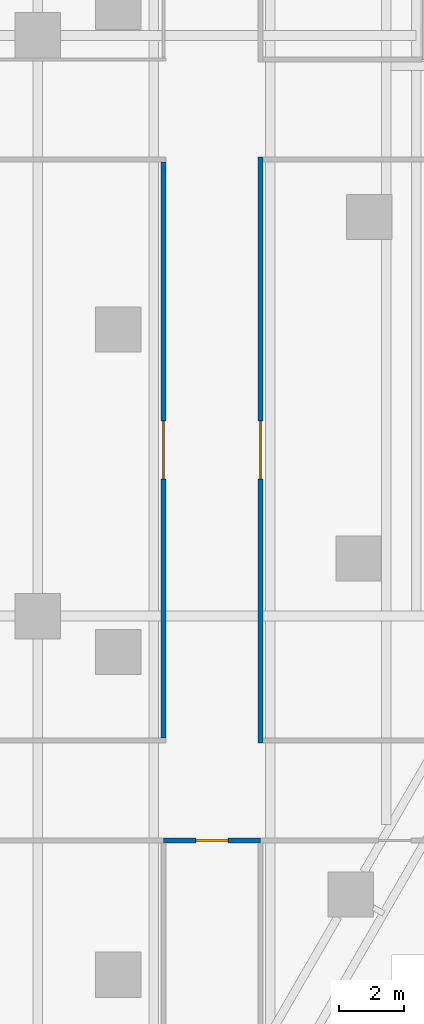
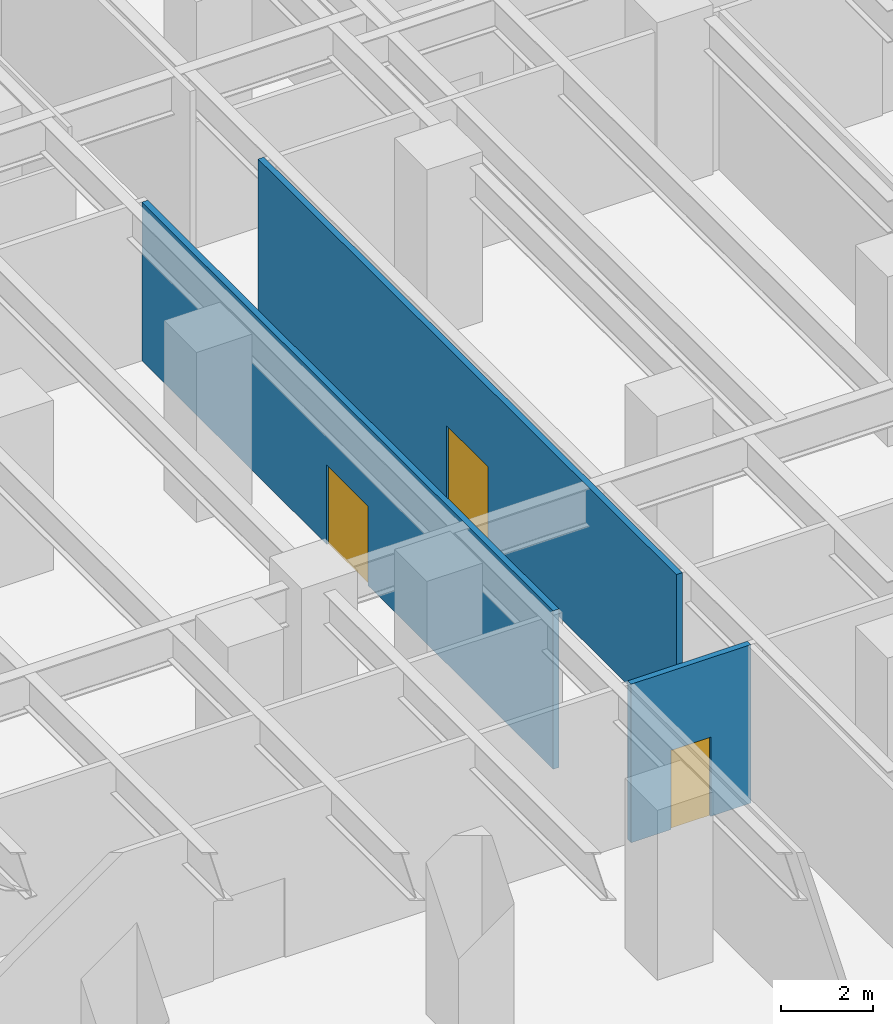
# One storey, part 8 of 20: 3 doors, 3 walls, 3 openings.
"""IFC4 building model written with IfcOpenShell, lengths in metres."""

from ifc_helpers import new_model, si_unit, direction, frame, frame_2d, origin, place, context, subcontext, project, spatial, rectangle, extrude, material, layer, layer_set, type_object, element, fill, save


model = new_model("IFC4")

# Units and contexts
model_context = context("Model", 3, precision=1e-05, world=origin(), true_north=direction((0.0, 1.0)))
body_context = subcontext(model_context, "Body", "Model", "MODEL_VIEW")
ifc_project = project(units=[si_unit("LENGTHUNIT", "METRE"), si_unit("AREAUNIT", "SQUARE_METRE"), si_unit("VOLUMEUNIT", "CUBIC_METRE"), si_unit("PLANEANGLEUNIT", "RADIAN"), si_unit("MASSUNIT", "GRAM", prefix="KILO")], contexts=[model_context])

# Site, building, storey
site_placement = place(None, origin())
site = spatial("IfcSite", under=ifc_project, at=site_placement, CompositionType="ELEMENT")
building_placement = place(site_placement, origin())
building = spatial("IfcBuilding", under=site, at=building_placement, Name="Aloe Facet Convention Tower", CompositionType="ELEMENT")
storey_placement = place(building_placement, frame((0.0, 0.0, -4.5)))
storey = spatial("IfcBuildingStorey", under=building, at=storey_placement, Name="B1", CompositionType="ELEMENT", Elevation=-4.5)

# Wall, opening, door
ifc_material_1 = material(Name="Gypsum board partition on steel studs, double layer", Category="steel")
ifc_layer = layer(ifc_material_1, 0.14990234375)
ifc_layer_set = layer_set([ifc_layer], Name="IN-POD-W-CORR")
wall_type = type_object("IfcWallType", Name="IN-POD-W-CORR", PredefinedType="PARTITIONING", material=ifc_layer_set)
wall_1_placement = place(storey_placement, frame((83.89990234375, 56.050048828125, 0.0), z_axis=(0.0, 0.0, 1.0), x_axis=(1.0, 0.0, 0.0)))
wall_1 = element("IfcWall", 1, at=wall_1_placement, inside=storey, type_object=wall_type, Name="Partition B1-W003", PredefinedType="PARTITIONING", context=body_context, shape_type="SweptSolid", body=[
    extrude(rectangle(XDim=3.0, YDim=0.14990234375, at=frame_2d((1.5, 0.0))), origin(), (0.0, 0.0, 1.0), 4.199951171875),
])
opening_1_placement = place(wall_1_placement, frame((1.0, 0.0, 0.0)))
opening_1 = element("IfcOpeningElement", 2, at=opening_1_placement, cuts=wall_1, Name="Opening B1-024", PredefinedType="OPENING", context=body_context, shape_type="SweptSolid", body=[
    extrude(rectangle(XDim=1.0, YDim=2.10009765625, at=frame_2d((0.5, 1.050048828125))), frame((0.0, 0.0849609375, 0.0), z_axis=(0.0, -1.0, 0.0), x_axis=(1.0, 0.0, 0.0)), (0.0, 0.0, 1.0), 0.169921875),
])
ifc_material_2 = material(Name="Steel flush door, galvanised", Category="steel")
door_type_1 = type_object("IfcDoorType", Name="IN-POD-D-PLANT", OperationType="SINGLE_SWING_LEFT", PredefinedType="DOOR", material=ifc_material_2)
door_1_placement = place(opening_1_placement, origin())
door_1 = element("IfcDoor", 3, at=door_1_placement, inside=storey, type_object=door_type_1, Name="Door B1-024", OperationType="SINGLE_SWING_LEFT", OverallHeight=2.10009765625, OverallWidth=1.0, PredefinedType="DOOR", context=body_context, shape_type="SweptSolid", body=[
    extrude(rectangle(XDim=1.0, YDim=2.10009765625, at=frame_2d((0.5, 1.050048828125))), frame((0.0, 0.02490234375, 0.0), z_axis=(0.0, -1.0, 0.0), x_axis=(1.0, 0.0, 0.0)), (0.0, 0.0, 1.0), 0.050048828125),
])
fill(opening_1, door_1)

wall_2_placement = place(storey_placement, frame((86.89990234375, 59.074951171875, 0.0), z_axis=(0.0, 0.0, 1.0), x_axis=(0.0, 1.0, 0.0)))
wall_2 = element("IfcWall", 4, at=wall_2_placement, inside=storey, type_object=wall_type, Name="Partition B1-W009", PredefinedType="PARTITIONING", context=body_context, shape_type="SweptSolid", body=[
    extrude(rectangle(XDim=18.150146484375, YDim=0.14990234375, at=frame_2d((9.0751953125, 0.0))), origin(), (0.0, 0.0, 1.0), 4.199951171875),
])
opening_2_placement = place(wall_2_placement, frame((8.175048828125, 0.0, 0.0)))
opening_2 = element("IfcOpeningElement", 5, at=opening_2_placement, cuts=wall_2, Name="Opening B1-020", PredefinedType="OPENING", context=body_context, shape_type="SweptSolid", body=[
    extrude(rectangle(XDim=1.800048828125, YDim=2.10009765625, at=frame_2d((0.89990234375, 1.050048828125))), frame((0.0, 0.0849609375, 0.0), z_axis=(0.0, -1.0, 0.0), x_axis=(1.0, 0.0, 0.0)), (0.0, 0.0, 1.0), 0.169921875),
])
ifc_material_3 = material(Name="Steel flush door pair, galvanised", Category="steel")
door_type_2 = type_object("IfcDoorType", Name="IN-POD-D-PLANTPAIR", OperationType="DOUBLE_DOOR_SINGLE_SWING", PredefinedType="DOOR", material=ifc_material_3)
door_2_placement = place(opening_2_placement, origin())
door_2 = element("IfcDoor", 6, at=door_2_placement, inside=storey, type_object=door_type_2, Name="Door B1-020", OperationType="SINGLE_SWING_LEFT", OverallHeight=2.10009765625, OverallWidth=1.800048828125, PredefinedType="DOOR", context=body_context, shape_type="SweptSolid", body=[
    extrude(rectangle(XDim=1.800048828125, YDim=2.10009765625, at=frame_2d((0.89990234375, 1.050048828125))), frame((0.0, 0.02490234375, 0.0), z_axis=(0.0, -1.0, 0.0), x_axis=(1.0, 0.0, 0.0)), (0.0, 0.0, 1.0), 0.050048828125),
])
fill(opening_2, door_2)

wall_3_placement = place(storey_placement, frame((83.89990234375, 59.22509765625, 0.0), z_axis=(0.0, 0.0, 1.0), x_axis=(0.0, 1.0, 0.0)))
wall_3 = element("IfcWall", 7, at=wall_3_placement, inside=storey, type_object=wall_type, Name="Partition B1-W014", PredefinedType="PARTITIONING", context=body_context, shape_type="SweptSolid", body=[
    extrude(rectangle(XDim=17.849853515625, YDim=0.14990234375, at=frame_2d((8.9248046875, 0.0))), origin(), (0.0, 0.0, 1.0), 4.199951171875),
])
opening_3_placement = place(wall_3_placement, frame((8.02490234375, 0.0, 0.0)))
opening_3 = element("IfcOpeningElement", 8, at=opening_3_placement, cuts=wall_3, Name="Opening B1-019", PredefinedType="OPENING", context=body_context, shape_type="SweptSolid", body=[
    extrude(rectangle(XDim=1.800048828125, YDim=2.10009765625, at=frame_2d((0.89990234375, 1.050048828125))), frame((0.0, 0.0849609375, 0.0), z_axis=(0.0, -1.0, 0.0), x_axis=(1.0, 0.0, 0.0)), (0.0, 0.0, 1.0), 0.169921875),
])
door_3_placement = place(opening_3_placement, origin())
door_3 = element("IfcDoor", 9, at=door_3_placement, inside=storey, type_object=door_type_2, Name="Door B1-019", OperationType="SINGLE_SWING_LEFT", OverallHeight=2.10009765625, OverallWidth=1.800048828125, PredefinedType="DOOR", context=body_context, shape_type="SweptSolid", body=[
    extrude(rectangle(XDim=1.800048828125, YDim=2.10009765625, at=frame_2d((0.89990234375, 1.050048828125))), frame((0.0, 0.02490234375, 0.0), z_axis=(0.0, -1.0, 0.0), x_axis=(1.0, 0.0, 0.0)), (0.0, 0.0, 1.0), 0.050048828125),
])
fill(opening_3, door_3)

save(model, "model.ifc")
